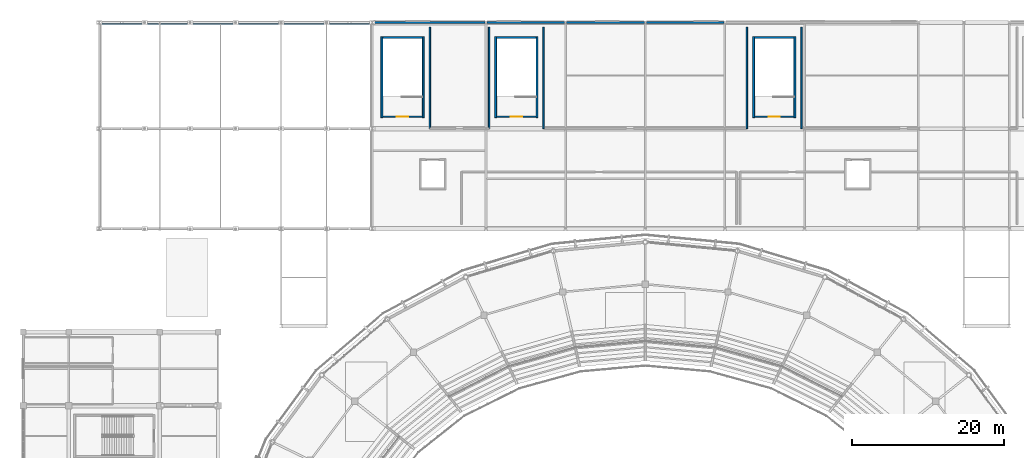
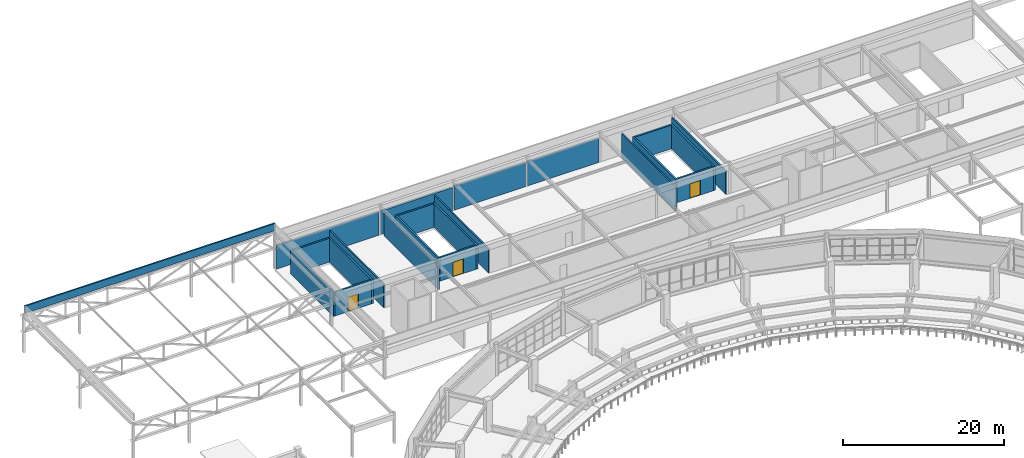
# One storey, part 107 of 122: 22 walls, 3 doors, 3 openings.
"""IFC4 building model written with IfcOpenShell, lengths in metres."""

from ifc_helpers import new_model, si_unit, direction, frame, frame_2d, origin, place, context, subcontext, project, spatial, rectangle, extrude, material, layer, layer_set, type_object, element, fill, save


model = new_model("IFC4")

# Units and contexts
model_context = context("Model", 3, precision=1e-05, world=origin(), true_north=direction((0.0, 1.0)))
body_context = subcontext(model_context, "Body", "Model", "MODEL_VIEW")
ifc_project = project(units=[si_unit("LENGTHUNIT", "METRE"), si_unit("AREAUNIT", "SQUARE_METRE"), si_unit("VOLUMEUNIT", "CUBIC_METRE"), si_unit("PLANEANGLEUNIT", "RADIAN"), si_unit("MASSUNIT", "GRAM", prefix="KILO")], contexts=[model_context])

# Site, building, storey
site_placement = place(None, origin())
site = spatial("IfcSite", under=ifc_project, at=site_placement, CompositionType="ELEMENT")
building_placement = place(site_placement, origin())
building = spatial("IfcBuilding", under=site, at=building_placement, Name="Cuetzalor Civic Arena", CompositionType="ELEMENT")
storey_placement = place(building_placement, frame((0.0, 0.0, 16.199951171875)))
storey = spatial("IfcBuildingStorey", under=building, at=storey_placement, Name="L03", CompositionType="ELEMENT", Elevation=16.199951171875)

# Walls
ifc_material_1 = material(Name="Standing-seam charcoal zinc insulated wall", Category="steel")
ifc_layer_1 = layer(ifc_material_1, 0.280029296875)
ifc_layer_set_1 = layer_set([ifc_layer_1], Name="Standing-seam charcoal zinc insulated wall")
wall_type_1 = type_object("IfcWallType", Name="AcousticZincCladWall_280", PredefinedType="SOLIDWALL", material=ifc_layer_set_1)
wall_1_placement = place(storey_placement, frame((-35.865478515625, 75.5, 0.0), z_axis=(0.0, 0.0, 1.0), x_axis=(1.0, 0.0, 0.0)))
element("IfcWall", 1, at=wall_1_placement, inside=storey, type_object=wall_type_1, Name="North Basalt Facade Wall L03-225", PredefinedType="SOLIDWALL", context=body_context, shape_type="SweptSolid", body=[
    extrude(rectangle(XDim=14.73095703125, YDim=0.280029296875, at=frame_2d((7.365478515625, 0.0))), origin(), (0.0, 0.0, 1.0), 3.5400390625),
])
wall_2_placement = place(storey_placement, frame((-20.865478515625, 75.5, 0.0), z_axis=(0.0, 0.0, 1.0), x_axis=(1.0, 0.0, 0.0)))
element("IfcWall", 2, at=wall_2_placement, inside=storey, type_object=wall_type_1, Name="North Basalt Facade Wall L03-226", PredefinedType="SOLIDWALL", context=body_context, shape_type="SweptSolid", body=[
    extrude(rectangle(XDim=10.23095703125, YDim=0.280029296875, at=frame_2d((5.115478515625, 0.0))), origin(), (0.0, 0.0, 1.0), 3.5400390625),
])
for number, where, z_axis, x_axis, name in (
    (3, (-10.365478515625, 75.5, 0.0), (0.0, 0.0, 1.0), (1.0, 0.0, 0.0), "North Basalt Facade Wall L03-227"),
    (4, (0.134521484375, 75.5, 0.0), (0.0, 0.0, 1.0), (1.0, 0.0, 0.0), "North Basalt Facade Wall L03-228"),
):
    element("IfcWall", number, at=place(storey_placement, frame(where, z_axis=z_axis, x_axis=x_axis)), inside=storey, type_object=wall_type_1, Name=name, PredefinedType="SOLIDWALL", context=body_context, shape_type="SweptSolid", body=[
        extrude(rectangle(XDim=10.23095703125, YDim=0.280029296875, at=frame_2d((5.115478515625, 0.0))), origin(), (0.0, 0.0, 1.0), 3.64013671875),
    ])
ifc_material_2 = material(Name="Dark volcanic basalt parapet Concrete C35/45", Category="masonry")
ifc_layer_2 = layer(ifc_material_2, 0.2099609375)
ifc_layer_set_2 = layer_set([ifc_layer_2], Name="Dark volcanic basalt parapet Concrete C35/45")
wall_type_2 = type_object("IfcWallType", Name="BasaltRoofParapet_210", PredefinedType="PARAPET", material=ifc_layer_set_2)
wall_3_placement = place(storey_placement, frame((-71.949951171875, 75.35009765625, 6.0), z_axis=(0.0, 0.0, 1.0), x_axis=(1.0, 0.0, 0.0)))
element("IfcWall", 5, at=wall_3_placement, inside=storey, type_object=wall_type_2, Name="Roof Parapet 05 L03-253", PredefinedType="PARAPET", context=body_context, shape_type="SweptSolid", body=[
    extrude(rectangle(XDim=35.89990234375, YDim=0.2099609375, at=frame_2d((17.949951171875, 0.0))), origin(), (0.0, 0.0, 1.0), 1.10009765625),
])
ifc_material_3 = material(Name="Concrete C40/50", Category="concrete")
ifc_layer_3 = layer(ifc_material_3, 0.25)
ifc_layer_set_3 = layer_set([ifc_layer_3], Name="Concrete C40/50")
wall_type_3 = type_object("IfcWallType", Name="ConcreteCoreShearWall_250", PredefinedType="SHEAR", material=ifc_layer_set_3)
wall_4_placement = place(storey_placement, frame((-34.72509765625, 62.949951171875, 0.0), z_axis=(0.0, 0.0, 1.0), x_axis=(0.0, 1.0, 0.0)))
element("IfcWall", 6, at=wall_4_placement, inside=storey, type_object=wall_type_3, Name="Stair Core Shear Wall ST-24-L03-W", PredefinedType="SHEAR", context=body_context, shape_type="SweptSolid", body=[
    extrude(rectangle(XDim=10.699951171875, YDim=0.25, at=frame_2d((5.35009765625, 0.0))), origin(), (0.0, 0.0, 1.0), 3.60009765625),
])
wall_5_placement = place(storey_placement, frame((-34.60009765625, 73.52490234375, 0.0), z_axis=(0.0, 0.0, 1.0), x_axis=(1.0, 0.0, 0.0)))
element("IfcWall", 7, at=wall_5_placement, inside=storey, type_object=wall_type_3, Name="Stair Core Shear Wall ST-24-L03-N", PredefinedType="SHEAR", context=body_context, shape_type="SweptSolid", body=[
    extrude(rectangle(XDim=5.2001953125, YDim=0.25, at=frame_2d((2.60009765625, 0.0))), origin(), (0.0, 0.0, 1.0), 3.60009765625),
])
wall_6_placement = place(storey_placement, frame((-29.27490234375, 73.64990234375, 0.0), z_axis=(0.0, 0.0, 1.0), x_axis=(0.0, -1.0, 0.0)))
element("IfcWall", 8, at=wall_6_placement, inside=storey, type_object=wall_type_3, Name="Stair Core Shear Wall ST-24-L03-E", PredefinedType="SHEAR", context=body_context, shape_type="SweptSolid", body=[
    extrude(rectangle(XDim=10.699951171875, YDim=0.25, at=frame_2d((5.35009765625, 0.0))), origin(), (0.0, 0.0, 1.0), 3.60009765625),
])

# Wall, opening, door
wall_7_placement = place(storey_placement, frame((-29.39990234375, 63.074951171875, 0.0), z_axis=(0.0, 0.0, 1.0), x_axis=(-1.0, 0.0, 0.0)))
wall_7 = element("IfcWall", 9, at=wall_7_placement, inside=storey, type_object=wall_type_3, Name="Stair Core Shear Wall ST-24-L03-S", PredefinedType="SHEAR", context=body_context, shape_type="SweptSolid", body=[
    extrude(rectangle(XDim=5.2001953125, YDim=0.25, at=frame_2d((2.60009765625, 0.0))), origin(), (0.0, 0.0, 1.0), 3.60009765625),
])
opening_1_placement = place(wall_7_placement, frame((1.85009765625, 0.0, 0.0)))
opening_1 = element("IfcOpeningElement", 10, at=opening_1_placement, cuts=wall_7, Name="Opening FD-03", PredefinedType="OPENING", context=body_context, shape_type="SweptSolid", body=[
    extrude(rectangle(XDim=1.5, YDim=2.199951171875, at=frame_2d((0.75, 1.10009765625))), frame((0.0, 0.135009765625, 0.0), z_axis=(0.0, -1.0, 0.0), x_axis=(1.0, 0.0, 0.0)), (0.0, 0.0, 1.0), 0.27001953125),
])
ifc_material_4 = material(Name="Fire-rated steel stair exit double door", Category="steel")
door_type = type_object("IfcDoorType", Name="StairFireDoubleDoor_1500x2200", OperationType="DOUBLE_DOOR_SINGLE_SWING", PredefinedType="DOOR", material=ifc_material_4)
door_1_placement = place(opening_1_placement, origin())
door_1 = element("IfcDoor", 11, at=door_1_placement, inside=storey, type_object=door_type, Name="Fire Stair Door ST-24 L03", OperationType="DOUBLE_DOOR_SINGLE_SWING", OverallHeight=2.199951171875, OverallWidth=1.5, PredefinedType="DOOR", context=body_context, shape_type="SweptSolid", body=[
    extrude(rectangle(XDim=1.5, YDim=2.199951171875, at=frame_2d((0.75, 1.10009765625))), frame((0.0, 0.02490234375, 0.0), z_axis=(0.0, -1.0, 0.0), x_axis=(1.0, 0.0, 0.0)), (0.0, 0.0, 1.0), 0.050048828125),
])
fill(opening_1, door_1)

# Walls
wall_8_placement = place(storey_placement, frame((-19.72509765625, 62.949951171875, 0.0), z_axis=(0.0, 0.0, 1.0), x_axis=(0.0, 1.0, 0.0)))
element("IfcWall", 12, at=wall_8_placement, inside=storey, type_object=wall_type_3, Name="Stair Core Shear Wall ST-25-L03-W", PredefinedType="SHEAR", context=body_context, shape_type="SweptSolid", body=[
    extrude(rectangle(XDim=10.699951171875, YDim=0.25, at=frame_2d((5.35009765625, 0.0))), origin(), (0.0, 0.0, 1.0), 3.60009765625),
])
wall_9_placement = place(storey_placement, frame((-19.60009765625, 73.52490234375, 0.0), z_axis=(0.0, 0.0, 1.0), x_axis=(1.0, 0.0, 0.0)))
element("IfcWall", 13, at=wall_9_placement, inside=storey, type_object=wall_type_3, Name="Stair Core Shear Wall ST-25-L03-N", PredefinedType="SHEAR", context=body_context, shape_type="SweptSolid", body=[
    extrude(rectangle(XDim=5.2001953125, YDim=0.25, at=frame_2d((2.60009765625, 0.0))), origin(), (0.0, 0.0, 1.0), 3.60009765625),
])
wall_10_placement = place(storey_placement, frame((-14.27490234375, 73.64990234375, 0.0), z_axis=(0.0, 0.0, 1.0), x_axis=(0.0, -1.0, 0.0)))
element("IfcWall", 14, at=wall_10_placement, inside=storey, type_object=wall_type_3, Name="Stair Core Shear Wall ST-25-L03-E", PredefinedType="SHEAR", context=body_context, shape_type="SweptSolid", body=[
    extrude(rectangle(XDim=10.699951171875, YDim=0.25, at=frame_2d((5.35009765625, 0.0))), origin(), (0.0, 0.0, 1.0), 3.60009765625),
])

# Wall, opening, door
wall_11_placement = place(storey_placement, frame((-14.39990234375, 63.074951171875, 0.0), z_axis=(0.0, 0.0, 1.0), x_axis=(-1.0, 0.0, 0.0)))
wall_11 = element("IfcWall", 15, at=wall_11_placement, inside=storey, type_object=wall_type_3, Name="Stair Core Shear Wall ST-25-L03-S", PredefinedType="SHEAR", context=body_context, shape_type="SweptSolid", body=[
    extrude(rectangle(XDim=5.2001953125, YDim=0.25, at=frame_2d((2.60009765625, 0.0))), origin(), (0.0, 0.0, 1.0), 3.60009765625),
])
opening_2_placement = place(wall_11_placement, frame((1.85009765625, 0.0, 0.0)))
opening_2 = element("IfcOpeningElement", 16, at=opening_2_placement, cuts=wall_11, Name="Opening FD-03", PredefinedType="OPENING", context=body_context, shape_type="SweptSolid", body=[
    extrude(rectangle(XDim=1.5, YDim=2.199951171875, at=frame_2d((0.75, 1.10009765625))), frame((0.0, 0.135009765625, 0.0), z_axis=(0.0, -1.0, 0.0), x_axis=(1.0, 0.0, 0.0)), (0.0, 0.0, 1.0), 0.27001953125),
])
door_2_placement = place(opening_2_placement, origin())
door_2 = element("IfcDoor", 17, at=door_2_placement, inside=storey, type_object=door_type, Name="Fire Stair Door ST-25 L03", OperationType="DOUBLE_DOOR_SINGLE_SWING", OverallHeight=2.199951171875, OverallWidth=1.5, PredefinedType="DOOR", context=body_context, shape_type="SweptSolid", body=[
    extrude(rectangle(XDim=1.5, YDim=2.199951171875, at=frame_2d((0.75, 1.10009765625))), frame((0.0, 0.02490234375, 0.0), z_axis=(0.0, -1.0, 0.0), x_axis=(1.0, 0.0, 0.0)), (0.0, 0.0, 1.0), 0.050048828125),
])
fill(opening_2, door_2)

# Walls
wall_12_placement = place(storey_placement, frame((14.27490234375, 62.949951171875, 0.0), z_axis=(0.0, 0.0, 1.0), x_axis=(0.0, 1.0, 0.0)))
element("IfcWall", 18, at=wall_12_placement, inside=storey, type_object=wall_type_3, Name="Stair Core Shear Wall ST-26-L03-W", PredefinedType="SHEAR", context=body_context, shape_type="SweptSolid", body=[
    extrude(rectangle(XDim=10.699951171875, YDim=0.25, at=frame_2d((5.35009765625, 0.0))), origin(), (0.0, 0.0, 1.0), 3.60009765625),
])
wall_13_placement = place(storey_placement, frame((14.39990234375, 73.52490234375, 0.0), z_axis=(0.0, 0.0, 1.0), x_axis=(1.0, 0.0, 0.0)))
element("IfcWall", 19, at=wall_13_placement, inside=storey, type_object=wall_type_3, Name="Stair Core Shear Wall ST-26-L03-N", PredefinedType="SHEAR", context=body_context, shape_type="SweptSolid", body=[
    extrude(rectangle(XDim=5.2001953125, YDim=0.25, at=frame_2d((2.60009765625, 0.0))), origin(), (0.0, 0.0, 1.0), 3.60009765625),
])
wall_14_placement = place(storey_placement, frame((19.72509765625, 73.64990234375, 0.0), z_axis=(0.0, 0.0, 1.0), x_axis=(0.0, -1.0, 0.0)))
element("IfcWall", 20, at=wall_14_placement, inside=storey, type_object=wall_type_3, Name="Stair Core Shear Wall ST-26-L03-E", PredefinedType="SHEAR", context=body_context, shape_type="SweptSolid", body=[
    extrude(rectangle(XDim=10.699951171875, YDim=0.25, at=frame_2d((5.35009765625, 0.0))), origin(), (0.0, 0.0, 1.0), 3.60009765625),
])

# Wall, opening, door
wall_15_placement = place(storey_placement, frame((19.60009765625, 63.074951171875, 0.0), z_axis=(0.0, 0.0, 1.0), x_axis=(-1.0, 0.0, 0.0)))
wall_15 = element("IfcWall", 21, at=wall_15_placement, inside=storey, type_object=wall_type_3, Name="Stair Core Shear Wall ST-26-L03-S", PredefinedType="SHEAR", context=body_context, shape_type="SweptSolid", body=[
    extrude(rectangle(XDim=5.2001953125, YDim=0.25, at=frame_2d((2.60009765625, 0.0))), origin(), (0.0, 0.0, 1.0), 3.60009765625),
])
opening_3_placement = place(wall_15_placement, frame((1.85009765625, 0.0, 0.0)))
opening_3 = element("IfcOpeningElement", 22, at=opening_3_placement, cuts=wall_15, Name="Opening FD-03", PredefinedType="OPENING", context=body_context, shape_type="SweptSolid", body=[
    extrude(rectangle(XDim=1.5, YDim=2.199951171875, at=frame_2d((0.75, 1.10009765625))), frame((0.0, 0.135009765625, 0.0), z_axis=(0.0, -1.0, 0.0), x_axis=(1.0, 0.0, 0.0)), (0.0, 0.0, 1.0), 0.27001953125),
])
door_3_placement = place(opening_3_placement, origin())
door_3 = element("IfcDoor", 23, at=door_3_placement, inside=storey, type_object=door_type, Name="Fire Stair Door ST-26 L03", OperationType="DOUBLE_DOOR_SINGLE_SWING", OverallHeight=2.199951171875, OverallWidth=1.5, PredefinedType="DOOR", context=body_context, shape_type="SweptSolid", body=[
    extrude(rectangle(XDim=1.5, YDim=2.199951171875, at=frame_2d((0.75, 1.10009765625))), frame((0.0, 0.02490234375, 0.0), z_axis=(0.0, -1.0, 0.0), x_axis=(1.0, 0.0, 0.0)), (0.0, 0.0, 1.0), 0.050048828125),
])
fill(opening_3, door_3)

# Walls
ifc_material_5 = material(Name="Fire-rated masonry and gypsum partition", Category="masonry")
ifc_layer_4 = layer(ifc_material_5, 0.199951171875)
ifc_layer_set_4 = layer_set([ifc_layer_4], Name="Fire-rated masonry and gypsum partition")
wall_type_4 = type_object("IfcWallType", Name="FireCompartmentWall_200", PredefinedType="PARTITIONING", material=ifc_layer_set_4)
for number, where, z_axis, x_axis, name in (
    (24, (-20.60009765625, 74.89990234375, 0.0), (0.0, 0.0, 1.0), (0.0, -1.0, 0.0), "Interior Partition IWALL:L03:0490"),
    (25, (-28.39990234375, 61.5, 0.0), (0.0, 0.0, 1.0), (0.0, 1.0, 0.0), "Interior Partition IWALL:L03:0491"),
):
    element("IfcWall", number, at=place(storey_placement, frame(where, z_axis=z_axis, x_axis=x_axis)), inside=storey, type_object=wall_type_4, Name=name, PredefinedType="PARTITIONING", context=body_context, shape_type="SweptSolid", body=[
        extrude(rectangle(XDim=13.39990234375, YDim=0.199951171875, at=frame_2d((6.699951171875, 0.0))), origin(), (0.0, 0.0, 1.0), 3.525146484375),
    ])
for number, where, z_axis, x_axis, name in (
    (26, (13.39990234375, 74.89990234375, 0.0), (0.0, 0.0, 1.0), (0.0, -1.0, 0.0), "Interior Partition IWALL:L03:0493"),
    (27, (-13.39990234375, 61.5, 0.0), (0.0, 0.0, 1.0), (0.0, 1.0, 0.0), "Interior Partition IWALL:L03:0494"),
):
    element("IfcWall", number, at=place(storey_placement, frame(where, z_axis=z_axis, x_axis=x_axis)), inside=storey, type_object=wall_type_4, Name=name, PredefinedType="PARTITIONING", context=body_context, shape_type="SweptSolid", body=[
        extrude(rectangle(XDim=13.39990234375, YDim=0.199951171875, at=frame_2d((6.699951171875, 0.0))), origin(), (0.0, 0.0, 1.0), 3.625),
    ])
wall_16_placement = place(storey_placement, frame((20.60009765625, 61.5, 0.0), z_axis=(0.0, 0.0, 1.0), x_axis=(0.0, 1.0, 0.0)))
element("IfcWall", 28, at=wall_16_placement, inside=storey, type_object=wall_type_4, Name="Interior Partition IWALL:L03:0497", PredefinedType="PARTITIONING", context=body_context, shape_type="SweptSolid", body=[
    extrude(rectangle(XDim=13.39990234375, YDim=0.199951171875, at=frame_2d((6.699951171875, 0.0))), origin(), (0.0, 0.0, 1.0), 3.525146484375),
])

save(model, "model.ifc")
